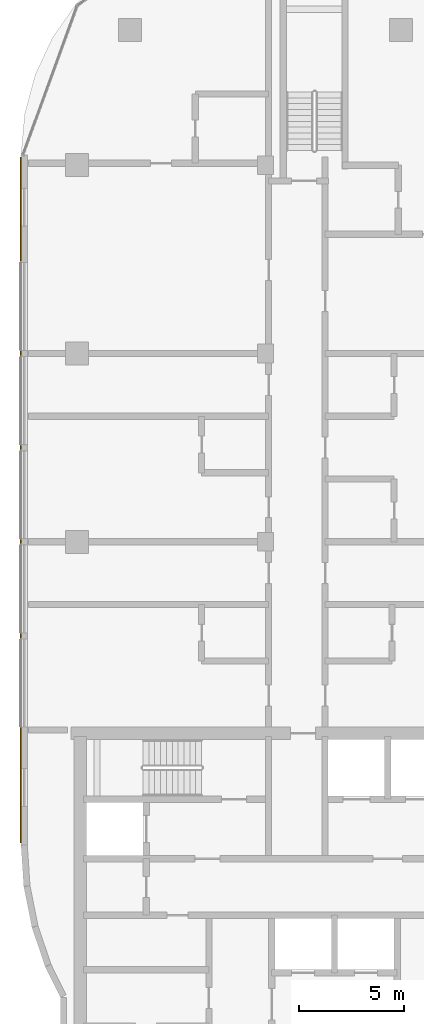
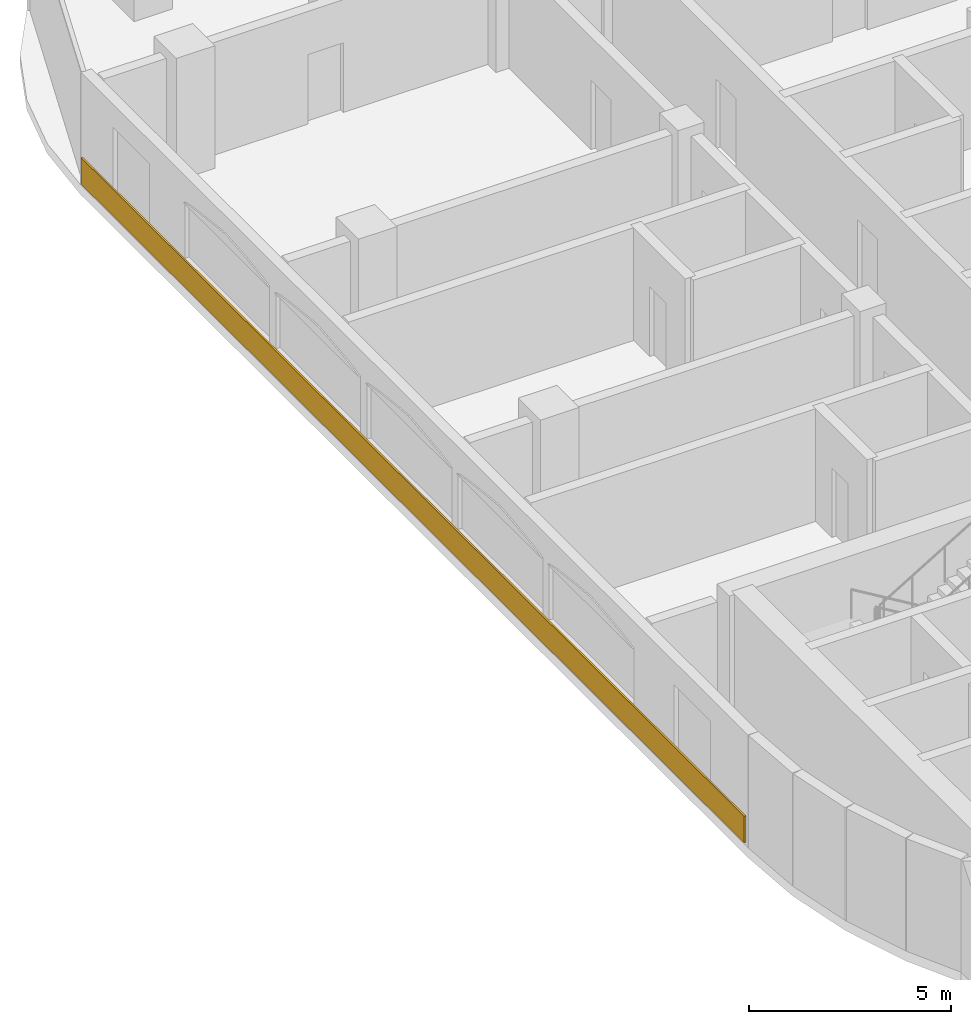
# One storey, part 20 of 25: 1 covering.
"""IFC4 building model written with IfcOpenShell, lengths in metres."""

from ifc_helpers import new_model, si_unit, direction, frame, origin, origin_2d, place, context, subcontext, project, spatial, rectangle, extrude, material, layer, layer_set, type_object, element, save


model = new_model("IFC4")

# Units and contexts
model_context = context("Model", 3, precision=1e-05, world=origin(), true_north=direction((0.0, 1.0)))
body_context = subcontext(model_context, "Body", "Model", "MODEL_VIEW")
ifc_project = project(units=[si_unit("LENGTHUNIT", "METRE"), si_unit("AREAUNIT", "SQUARE_METRE"), si_unit("VOLUMEUNIT", "CUBIC_METRE"), si_unit("PLANEANGLEUNIT", "RADIAN"), si_unit("MASSUNIT", "GRAM", prefix="KILO")], contexts=[model_context])

# Site, building, storey
site_placement = place(None, origin())
site = spatial("IfcSite", under=ifc_project, at=site_placement, CompositionType="ELEMENT")
building_placement = place(site_placement, origin())
building = spatial("IfcBuilding", under=site, at=building_placement, Name="Ogive Portal Towers", CompositionType="ELEMENT")
storey_placement = place(building_placement, frame((0.0, 0.0, 182.89990234375)))
storey = spatial("IfcBuildingStorey", under=building, at=storey_placement, Name="L45", CompositionType="ELEMENT", Elevation=182.89990234375)

# Covering
ifc_material = material(Name="Limestone cladding on lightweight block wall", Category="masonry")
ifc_layer = layer(ifc_material, 0.050048828125)
ifc_layer_set = layer_set([ifc_layer], Name="SCREEN PERFORATED STONE")
covering_type = type_object("IfcCoveringType", Name="SCREEN PERFORATED STONE", PredefinedType="CLADDING", material=ifc_layer_set)
covering_placement = place(storey_placement, frame((28.794921875, 50.497802734375, 0.10009765625), z_axis=(0.0, 0.0, 1.0), x_axis=(0.0, -1.0, 0.0)))
element("IfcCovering", 1, at=covering_placement, inside=storey, type_object=covering_type, Name="Tracery screen", PredefinedType="CLADDING", context=body_context, shape_type="SweptSolid", body=[
    extrude(rectangle(XDim=32.776123046875, YDim=0.050048828125, at=origin_2d()), origin(), (0.0, 0.0, 1.0), 0.800048828125),
])

save(model, "model.ifc")
